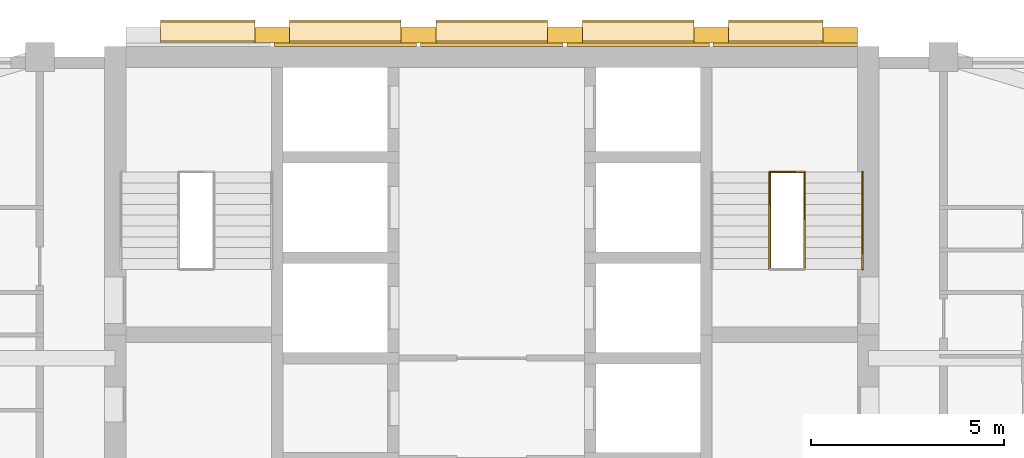
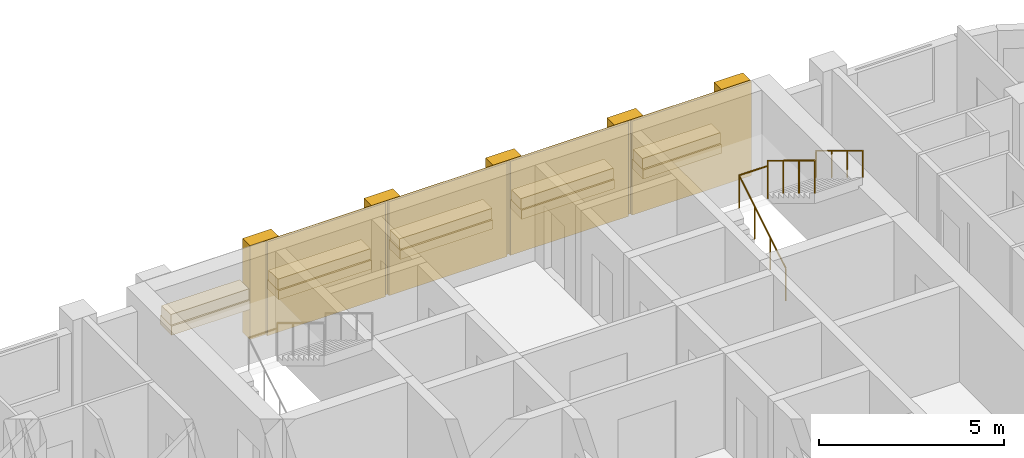
# One storey, part 13 of 13: 19 coverings, 4 railings, 1 element without a shape of its own.
"""IFC4 building model written with IfcOpenShell, lengths in metres."""

import ifcopenshell
import ifcopenshell.guid

model = None  # the IFC model being written
_history = None  # IfcOwnerHistory: only IFC2X3 demands one
_inside = {}  # id of a spatial element -> (the spatial element, [elements in it])
_under = {}  # id of a project, library or spatial element -> (it, [spatial elements below it])
_declared = {}  # id of a project -> (the project, [libraries it declares])
_typed = {}  # id of a type object -> (the type object, [elements of that type])
_made_of = {}  # id of a material, layer set ... -> (it, [elements and type objects made of it])


def new_model(schema):
    """Start an empty IFC model of exactly this schema.

    Asked for "IFC4X3", IfcOpenShell would pick the latest addendum, in which some entities
    have other attributes; the version numbers below select the first issue.
    IFC2X3 requires an IfcOwnerHistory on every rooted entity: one is made here for all.
    """
    global model, _history
    if schema == "IFC4X3":
        model = ifcopenshell.file(schema_version=(4, 3, 0, 0))
    else:
        model = ifcopenshell.file(schema=schema)
    _inside.clear()
    _under.clear()
    _declared.clear()
    _typed.clear()
    _made_of.clear()
    _history = None
    if model.schema == "IFC2X3":
        org = make("IfcOrganization", Name="unknown")
        user = make(
            "IfcPersonAndOrganization",
            ThePerson=make("IfcPerson", FamilyName="unknown"),
            TheOrganization=org,
        )
        app = make(
            "IfcApplication",
            ApplicationDeveloper=org,
            Version="unknown",
            ApplicationFullName="unknown",
            ApplicationIdentifier="unknown",
        )
        _history = make(
            "IfcOwnerHistory",
            OwningUser=user,
            OwningApplication=app,
            ChangeAction="ADDED",
            CreationDate=0,
        )
    return model


def make(cls, **values):
    """One entity of the class cls with the attributes given. An attribute that is None is left unset."""
    return model.create_entity(
        cls, **{name: value for name, value in values.items() if value is not None}
    )


def rooted(cls, **values):
    """An entity with a GlobalId (a new one), such as an element, a storey or a relation."""
    return make(cls, GlobalId=ifcopenshell.guid.new(), OwnerHistory=_history, **values)


def si_unit(unit_type, name, prefix=None):
    """IfcSIUnit, for example si_unit("LENGTHUNIT", "METRE", prefix="MILLI")."""
    return make("IfcSIUnit", UnitType=unit_type, Prefix=prefix, Name=name)


def assignment(units):
    """IfcUnitAssignment: the units of a project."""
    return None if units is None else make("IfcUnitAssignment", Units=units)


def point(xyz):
    """IfcCartesianPoint."""
    return None if xyz is None else make("IfcCartesianPoint", Coordinates=xyz)


def direction(xyz):
    """IfcDirection."""
    return None if xyz is None else make("IfcDirection", DirectionRatios=xyz)


def frame(location, z_axis=None, x_axis=None):
    """IfcAxis2Placement3D, a coordinate frame: its origin and axes. An axis left out is left unset."""
    return make(
        "IfcAxis2Placement3D",
        Location=point(location),
        Axis=direction(z_axis),
        RefDirection=direction(x_axis),
    )


def frame_2d(location, x_axis=None):
    """IfcAxis2Placement2D, a coordinate frame in the plane: its origin and x axis."""
    return make(
        "IfcAxis2Placement2D", Location=point(location), RefDirection=direction(x_axis)
    )


def origin():
    """The frame at (0, 0, 0) with its axes left unset."""
    return frame((0.0, 0.0, 0.0))


def origin_2d():
    """The frame at (0, 0) in the plane with its x axis left unset."""
    return frame_2d((0.0, 0.0))


def place(relative_to, where):
    """IfcLocalPlacement: puts the frame where relative to a parent placement (None: the world)."""
    return make(
        "IfcLocalPlacement", PlacementRelTo=relative_to, RelativePlacement=where
    )


def context(
    kind, dimensions, precision=None, world=None, true_north=None, identifier=None
):
    """IfcGeometricRepresentationContext, for example the 3D "Model" context."""
    return make(
        "IfcGeometricRepresentationContext",
        ContextIdentifier=identifier,
        ContextType=kind,
        CoordinateSpaceDimension=dimensions,
        Precision=precision,
        WorldCoordinateSystem=world,
        TrueNorth=true_north,
    )


def subcontext(parent, identifier, kind, view, scale=None):
    """IfcGeometricRepresentationSubContext, for example "Body" below "Model"."""
    return make(
        "IfcGeometricRepresentationSubContext",
        ContextIdentifier=identifier,
        ContextType=kind,
        ParentContext=parent,
        TargetScale=scale,
        TargetView=view,
    )


def project(units=None, contexts=None):
    """IfcProject with its units and contexts."""
    return rooted(
        "IfcProject",
        Name="project",
        RepresentationContexts=contexts,
        UnitsInContext=assignment(units),
    )


def spatial(cls, under=None, at=None, **own):
    """A site, building, storey or space (cls), placed at a placement, below another one or the project."""
    s = rooted(cls, ObjectPlacement=at, **own)
    if under is not None:
        _under.setdefault(under.id(), (under, []))[1].append(s)
    return s


def profile(cls, at=None, kind="AREA", **sizes):
    """A parametric profile (cls). Its sizes go by their IFC names, for example OverallWidth=200.0."""
    return make(cls, ProfileType=kind, Position=at, **sizes)


def rectangle(**sizes):
    """IfcRectangleProfileDef."""
    return profile("IfcRectangleProfileDef", **sizes)


def circle(**sizes):
    """IfcCircleProfileDef."""
    return profile("IfcCircleProfileDef", **sizes)


def extrude(swept, where, along, depth):
    """IfcExtrudedAreaSolid: the profile swept, set in the frame where, extruded along a direction by depth."""
    return make(
        "IfcExtrudedAreaSolid",
        SweptArea=swept,
        Position=where,
        ExtrudedDirection=direction(along),
        Depth=depth,
    )


def shape(context_of_items, identifier, shape_type, items):
    """IfcShapeRepresentation: the items that make up one representation, for example the "Body"."""
    return make(
        "IfcShapeRepresentation",
        ContextOfItems=context_of_items,
        RepresentationIdentifier=identifier,
        RepresentationType=shape_type,
        Items=items,
    )


def material(Name=None, Category=None):
    """IfcMaterial."""
    return make("IfcMaterial", Name=Name, Category=Category)


def layer(
    of_material, thickness, ventilated=None, Name=None, Category=None, Priority=None
):
    """IfcMaterialLayer: one layer of a wall or slab, of a material (None: an air gap)."""
    return make(
        "IfcMaterialLayer",
        Material=of_material,
        LayerThickness=thickness,
        IsVentilated=ventilated,
        Name=Name,
        Category=Category,
        Priority=Priority,
    )


def layer_set(layers, Name=None):
    """IfcMaterialLayerSet."""
    return make("IfcMaterialLayerSet", MaterialLayers=layers, LayerSetName=Name)


def made_of(thing, what):
    """Note that an element or type object is made of a material, layer set ...; save() writes the relation."""
    if what is not None:
        _made_of.setdefault(what.id(), (what, []))[1].append(thing)
    return thing


def type_object(cls, material=None, **own):
    """A type object (cls), such as IfcWallType, which elements share."""
    return made_of(rooted(cls, **own), material)


def element(
    cls,
    number,
    at=None,
    inside=None,
    cuts=None,
    type_object=None,
    material=None,
    context=None,
    identifier="Body",
    shape_type=None,
    held_by="IfcProductDefinitionShape",
    body=None,
    shapes=None,
    **own,
):
    """One element of the class cls, such as IfcWall. Its Tag is "e" and its number.

    at: its placement. inside: the storey or other place that contains it. cuts: it is an
    opening in that element (IfcRelVoidsElement). A single representation is given by context,
    identifier, shape_type and body (its items); several are given by shapes. held_by: the class
    of the entity that holds the representations. save() writes the other relations.
    """
    e = rooted(cls, Tag="e%d" % number, ObjectPlacement=at, **own)
    if body is not None:
        shapes = [shape(context, identifier, shape_type, body)]
    if shapes is not None:
        e.Representation = make(held_by, Representations=shapes)
    if inside is not None:
        _inside.setdefault(inside.id(), (inside, []))[1].append(e)
    if cuts is not None:
        rooted(
            "IfcRelVoidsElement", RelatingBuildingElement=cuts, RelatedOpeningElement=e
        )
    if type_object is not None:
        _typed.setdefault(type_object.id(), (type_object, []))[1].append(e)
    return made_of(e, material)


def aggregate(whole, parts):
    """IfcRelAggregates: a whole, such as a stair, and the parts it consists of."""
    return rooted("IfcRelAggregates", RelatingObject=whole, RelatedObjects=parts)


def save(model, path):
    """Write the relations noted so far, then the file.

    IfcRelAggregates (storeys below a building ...), IfcRelContainedInSpatialStructure (elements
    in a storey), IfcRelDefinesByType, IfcRelAssociatesMaterial and IfcRelDeclares: one each for
    every whole, place, type object, material and project.
    """
    for whole, parts in _under.values():
        aggregate(whole, parts)
    for where, things in _inside.values():
        rooted(
            "IfcRelContainedInSpatialStructure",
            RelatedElements=things,
            RelatingStructure=where,
        )
    for kind, things in _typed.values():
        rooted("IfcRelDefinesByType", RelatedObjects=things, RelatingType=kind)
    for what, things in _made_of.values():
        rooted("IfcRelAssociatesMaterial", RelatedObjects=things, RelatingMaterial=what)
    for by, libraries in _declared.values():
        rooted("IfcRelDeclares", RelatingContext=by, RelatedDefinitions=libraries)
    model.write(path)


model = new_model("IFC4")

# Units and contexts
model_context = context("Model", 3, precision=1e-05, world=origin(), true_north=direction((0.0, 1.0)))
body_context = subcontext(model_context, "Body", "Model", "MODEL_VIEW")
ifc_project = project(units=[si_unit("LENGTHUNIT", "METRE"), si_unit("AREAUNIT", "SQUARE_METRE"), si_unit("VOLUMEUNIT", "CUBIC_METRE"), si_unit("PLANEANGLEUNIT", "RADIAN"), si_unit("MASSUNIT", "GRAM", prefix="KILO")], contexts=[model_context])

# Site, building, storey
site_placement = place(None, origin())
site = spatial("IfcSite", under=ifc_project, at=site_placement, CompositionType="ELEMENT")
building_placement = place(site_placement, origin())
building = spatial("IfcBuilding", under=site, at=building_placement, Name="Ludao Terraces", CompositionType="ELEMENT")
storey_placement = place(building_placement, frame((0.0, 0.0, 179.199951171875)))
storey = spatial("IfcBuildingStorey", under=building, at=storey_placement, Name="L48", CompositionType="ELEMENT", Elevation=179.199951171875)

# Coverings
ifc_material_1 = material(Name="Granite cladding", Category="masonry")
ifc_layer_1 = layer(ifc_material_1, 0.39990234375)
ifc_layer_set_1 = layer_set([ifc_layer_1], Name="ENV Core pilaster stone 400")
covering_type_1 = type_object("IfcCoveringType", Name="ENV Core pilaster stone 400", PredefinedType="CLADDING", material=ifc_layer_set_1)
for number, where, z_axis, x_axis, name in (
    (1, (79.31494140625, 85.054931640625, 0.0), (0.0, 0.0, 1.0), (1.0, 0.0, 0.0), "CC-L48-PIL2"),
    (2, (83.10498046875, 85.054931640625, 0.0), (0.0, 0.0, 1.0), (1.0, 0.0, 0.0), "CC-L48-PIL3"),
    (3, (86.89501953125, 85.054931640625, 0.0), (0.0, 0.0, 1.0), (1.0, 0.0, 0.0), "CC-L48-PIL4"),
    (4, (90.68505859375, 85.054931640625, 0.0), (0.0, 0.0, 1.0), (1.0, 0.0, 0.0), "CC-L48-PIL5"),
    (5, (94.02490234375, 85.054931640625, 0.0), (0.0, 0.0, 1.0), (1.0, 0.0, 0.0), "CC-L48-PIL6"),
):
    element("IfcCovering", number, at=place(storey_placement, frame(where, z_axis=z_axis, x_axis=x_axis)), inside=storey, type_object=covering_type_1, Name=name, PredefinedType="CLADDING", context=body_context, shape_type="SweptSolid", body=[
        extrude(rectangle(XDim=0.89990234375, YDim=0.39990234375, at=origin_2d()), origin(), (0.0, 0.0, 1.0), 3.10009765625),
    ])
ifc_layer_2 = layer(ifc_material_1, 0.60009765625)
ifc_layer_set_2 = layer_set([ifc_layer_2], Name="ENV Core planting shelf stone 600")
covering_type_2 = type_object("IfcCoveringType", Name="ENV Core planting shelf stone 600", PredefinedType="CLADDING", material=ifc_layer_set_2)
covering_1_placement = place(storey_placement, frame((77.64501953125, 85.155029296875, 1.0), z_axis=(0.0, 0.0, 1.0), x_axis=(1.0, 0.0, 0.0)))
element("IfcCovering", 6, at=covering_1_placement, inside=storey, type_object=covering_type_2, Name="CC-L48-SHELF1", PredefinedType="CLADDING", context=body_context, shape_type="SweptSolid", body=[
    extrude(rectangle(XDim=2.43994140625, YDim=0.60009765625, at=origin_2d()), origin(), (0.0, 0.0, 1.0), 0.300048828125),
])
for number, where, z_axis, x_axis, name in (
    (7, (81.2099609375, 85.155029296875, 1.0), (0.0, 0.0, 1.0), (1.0, 0.0, 0.0), "CC-L48-SHELF2"),
    (8, (85.0, 85.155029296875, 1.0), (0.0, 0.0, 1.0), (1.0, 0.0, 0.0), "CC-L48-SHELF3"),
    (9, (88.7900390625, 85.155029296875, 1.0), (0.0, 0.0, 1.0), (1.0, 0.0, 0.0), "CC-L48-SHELF4"),
):
    element("IfcCovering", number, at=place(storey_placement, frame(where, z_axis=z_axis, x_axis=x_axis)), inside=storey, type_object=covering_type_2, Name=name, PredefinedType="CLADDING", context=body_context, shape_type="SweptSolid", body=[
        extrude(rectangle(XDim=2.889892578125, YDim=0.60009765625, at=origin_2d()), origin(), (0.0, 0.0, 1.0), 0.300048828125),
    ])
covering_2_placement = place(storey_placement, frame((92.35498046875, 85.155029296875, 1.0), z_axis=(0.0, 0.0, 1.0), x_axis=(1.0, 0.0, 0.0)))
element("IfcCovering", 10, at=covering_2_placement, inside=storey, type_object=covering_type_2, Name="CC-L48-SHELF5", PredefinedType="CLADDING", context=body_context, shape_type="SweptSolid", body=[
    extrude(rectangle(XDim=2.43994140625, YDim=0.60009765625, at=origin_2d()), origin(), (0.0, 0.0, 1.0), 0.300048828125),
])
ifc_layer_3 = layer(ifc_material_1, 0.080078125)
ifc_layer_set_3 = layer_set([ifc_layer_3], Name="ENV Core stone cladding panel 80")
covering_type_3 = type_object("IfcCoveringType", Name="ENV Core stone cladding panel 80", PredefinedType="CLADDING", material=ifc_layer_set_3)
for number, where, z_axis, x_axis, name in (
    (11, (81.2099609375, 84.81494140625, 0.0), (0.0, 0.0, 1.0), (1.0, 0.0, 0.0), "CC-L48-CORE2"),
    (12, (85.0, 84.81494140625, 0.0), (0.0, 0.0, 1.0), (1.0, 0.0, 0.0), "CC-L48-CORE3"),
    (13, (88.7900390625, 84.81494140625, 0.0), (0.0, 0.0, 1.0), (1.0, 0.0, 0.0), "CC-L48-CORE4"),
):
    element("IfcCovering", number, at=place(storey_placement, frame(where, z_axis=z_axis, x_axis=x_axis)), inside=storey, type_object=covering_type_3, Name=name, PredefinedType="CLADDING", context=body_context, shape_type="SweptSolid", body=[
        extrude(rectangle(XDim=3.68994140625, YDim=0.080078125, at=origin_2d()), origin(), (0.0, 0.0, 1.0), 3.10009765625),
    ])
covering_3_placement = place(storey_placement, frame((92.60498046875, 84.81494140625, 0.0), z_axis=(0.0, 0.0, 1.0), x_axis=(1.0, 0.0, 0.0)))
element("IfcCovering", 14, at=covering_3_placement, inside=storey, type_object=covering_type_3, Name="CC-L48-CORE5", PredefinedType="CLADDING", context=body_context, shape_type="SweptSolid", body=[
    extrude(rectangle(XDim=3.739990234375, YDim=0.080078125, at=origin_2d()), origin(), (0.0, 0.0, 1.0), 3.10009765625),
])
ifc_material_2 = material(Name="Planting")
ifc_layer_4 = layer(ifc_material_2, 0.5)
ifc_layer_set_4 = layer_set([ifc_layer_4], Name="ENV Shelf planting bed 350")
covering_type_4 = type_object("IfcCoveringType", Name="ENV Shelf planting bed 350", PredefinedType="USERDEFINED", material=ifc_layer_set_4)
covering_4_placement = place(storey_placement, frame((77.64501953125, 85.155029296875, 1.300048828125), z_axis=(0.0, 0.0, 1.0), x_axis=(1.0, 0.0, 0.0)))
element("IfcCovering", 15, at=covering_4_placement, inside=storey, type_object=covering_type_4, Name="Shelf planting bed L48 1", ObjectType="PLANTING", PredefinedType="USERDEFINED", context=body_context, shape_type="SweptSolid", body=[
    extrude(rectangle(XDim=2.43994140625, YDim=0.5, at=origin_2d()), origin(), (0.0, 0.0, 1.0), 0.35009765625),
])
for number, where, z_axis, x_axis, name in (
    (16, (81.2099609375, 85.155029296875, 1.300048828125), (0.0, 0.0, 1.0), (1.0, 0.0, 0.0), "Shelf planting bed L48 2"),
    (17, (85.0, 85.155029296875, 1.300048828125), (0.0, 0.0, 1.0), (1.0, 0.0, 0.0), "Shelf planting bed L48 3"),
    (18, (88.7900390625, 85.155029296875, 1.300048828125), (0.0, 0.0, 1.0), (1.0, 0.0, 0.0), "Shelf planting bed L48 4"),
):
    element("IfcCovering", number, at=place(storey_placement, frame(where, z_axis=z_axis, x_axis=x_axis)), inside=storey, type_object=covering_type_4, Name=name, ObjectType="PLANTING", PredefinedType="USERDEFINED", context=body_context, shape_type="SweptSolid", body=[
        extrude(rectangle(XDim=2.889892578125, YDim=0.5, at=origin_2d()), origin(), (0.0, 0.0, 1.0), 0.35009765625),
    ])
covering_5_placement = place(storey_placement, frame((92.35498046875, 85.155029296875, 1.300048828125), z_axis=(0.0, 0.0, 1.0), x_axis=(1.0, 0.0, 0.0)))
element("IfcCovering", 19, at=covering_5_placement, inside=storey, type_object=covering_type_4, Name="Shelf planting bed L48 5", ObjectType="PLANTING", PredefinedType="USERDEFINED", context=body_context, shape_type="SweptSolid", body=[
    extrude(rectangle(XDim=2.43994140625, YDim=0.5, at=origin_2d()), origin(), (0.0, 0.0, 1.0), 0.35009765625),
])

# Stair, railings
ifc_material_3 = material(Name="Concrete C40", Category="concrete")
stair_type = type_object("IfcStairType", Name="INT Stair", PredefinedType="HALF_TURN_STAIR", material=ifc_material_3)
stair_placement = place(storey_placement, origin())
stair = element("IfcStair", 20, at=stair_placement, inside=storey, type_object=stair_type, Name="EXIT STAIR 2", PredefinedType="HALF_TURN_STAIR")
ifc_material_4 = material(Name="Stainless steel 304", Category="steel")
railing_type_1 = type_object("IfcRailingType", Name="INT Stair guard 1100", PredefinedType="GUARDRAIL", material=ifc_material_4)
railing_1_placement = place(storey_placement, frame((92.199951171875, 79.0, 0.170166015625)))
railing_1 = element("IfcRailing", 21, at=railing_1_placement, type_object=railing_type_1, Name="ST-L48-S2-R1G", PredefinedType="GUARDRAIL", context=body_context, shape_type="SweptSolid", body=[
    extrude(circle(Radius=0.02392578125, at=origin_2d()), frame((0.0, 0.0, 1.076171875), z_axis=(0.0, 0.854821627497, 0.518921945155), x_axis=(-1.0, 0.0, 0.0)), (0.0, 0.0, 1.0), 2.947998046875),
    extrude(circle(Radius=0.02099609375, at=origin_2d()), origin(), (0.0, 0.0, 1.0), 1.052001953125),
    extrude(circle(Radius=0.02099609375, at=origin_2d()), frame((0.0, 0.840087890625, 0.510009765625)), (0.0, 0.0, 1.0), 1.052001953125),
    extrude(circle(Radius=0.02099609375, at=origin_2d()), frame((0.0, 1.679931640625, 1.019775390625)), (0.0, 0.0, 1.0), 1.052001953125),
    extrude(circle(Radius=0.02099609375, at=origin_2d()), frame((0.0, 2.52001953125, 1.52978515625)), (0.0, 0.0, 1.0), 1.052001953125),
])
railing_2_placement = place(storey_placement, frame((93.10009765625, 81.52001953125, 1.8701171875)))
railing_2 = element("IfcRailing", 22, at=railing_2_placement, type_object=railing_type_1, Name="ST-L48-S2-R2G", PredefinedType="GUARDRAIL", context=body_context, shape_type="SweptSolid", body=[
    extrude(circle(Radius=0.02392578125, at=origin_2d()), frame((0.0, 0.0, 1.076171875), z_axis=(0.0, -0.85478489116, 0.518982456201), x_axis=(1.0, 0.0, 0.0)), (0.0, 0.0, 1.0), 2.9482421875),
    extrude(circle(Radius=0.02099609375, at=origin_2d()), origin(), (0.0, 0.0, 1.0), 1.052001953125),
    extrude(circle(Radius=0.02099609375, at=origin_2d()), frame((0.0, -0.840087890625, 0.510009765625)), (0.0, 0.0, 1.0), 1.052001953125),
    extrude(circle(Radius=0.02099609375, at=origin_2d()), frame((0.0, -1.679931640625, 1.02001953125)), (0.0, 0.0, 1.0), 1.052001953125),
    extrude(circle(Radius=0.02099609375, at=origin_2d()), frame((0.0, -2.52001953125, 1.530029296875)), (0.0, 0.0, 1.0), 1.052001953125),
])
railing_3_placement = place(storey_placement, frame((92.199951171875, 81.52001953125, 1.699951171875)))
railing_3 = element("IfcRailing", 23, at=railing_3_placement, type_object=railing_type_1, Name="ST-L48-S2-E1G", PredefinedType="GUARDRAIL", context=body_context, shape_type="SweptSolid", body=[
    extrude(circle(Radius=0.02392578125, at=origin_2d()), frame((0.0, 0.0, 1.076171875), z_axis=(1.0, 0.0, 0.0), x_axis=(0.0, 1.0, 0.0)), (0.0, 0.0, 1.0), 0.900146484375),
    extrude(circle(Radius=0.02099609375, at=origin_2d()), origin(), (0.0, 0.0, 1.0), 1.052001953125),
    extrude(circle(Radius=0.02099609375, at=origin_2d()), frame((0.900146484375, 0.0, 0.0)), (0.0, 0.0, 1.0), 1.052001953125),
])
railing_type_2 = type_object("IfcRailingType", Name="INT Stair handrail 900", PredefinedType="HANDRAIL", material=ifc_material_4)
railing_4_placement = place(storey_placement, frame((94.60009765625, 81.52001953125, 1.8701171875)))
railing_4 = element("IfcRailing", 24, at=railing_4_placement, type_object=railing_type_2, Name="ST-L48-S2-R2H", PredefinedType="HANDRAIL", context=body_context, shape_type="SweptSolid", body=[
    extrude(circle(Radius=0.02392578125, at=origin_2d()), frame((0.0, 0.0, 0.8759765625), z_axis=(0.0, -0.85478489116, 0.518982456201), x_axis=(1.0, 0.0, 0.0)), (0.0, 0.0, 1.0), 2.9482421875),
    extrude(circle(Radius=0.02099609375, at=origin_2d()), origin(), (0.0, 0.0, 1.0), 0.851806640625),
    extrude(circle(Radius=0.02099609375, at=origin_2d()), frame((0.0, -0.840087890625, 0.510009765625)), (0.0, 0.0, 1.0), 0.851806640625),
    extrude(circle(Radius=0.02099609375, at=origin_2d()), frame((0.0, -1.679931640625, 1.02001953125)), (0.0, 0.0, 1.0), 0.851806640625),
    extrude(circle(Radius=0.02099609375, at=origin_2d()), frame((0.0, -2.52001953125, 1.530029296875)), (0.0, 0.0, 1.0), 0.851806640625),
])
aggregate(stair, [railing_1, railing_2, railing_4, railing_3])

save(model, "model.ifc")
